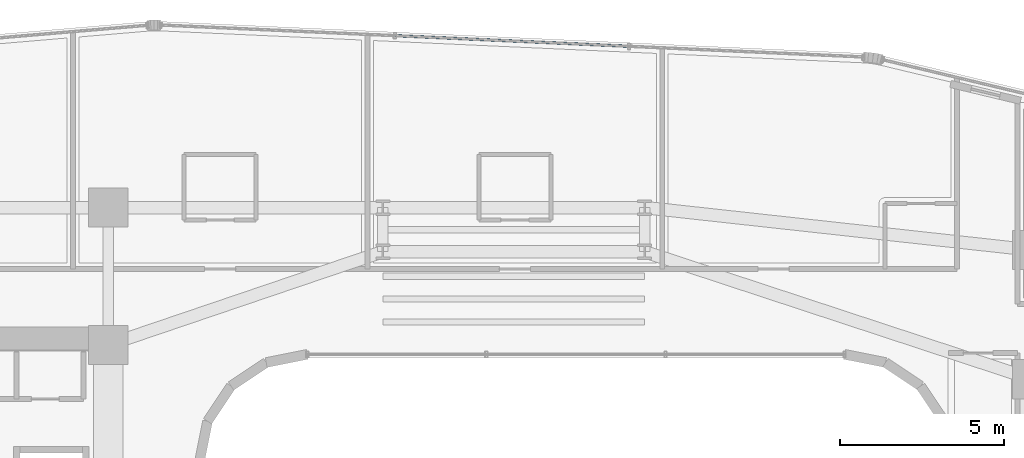
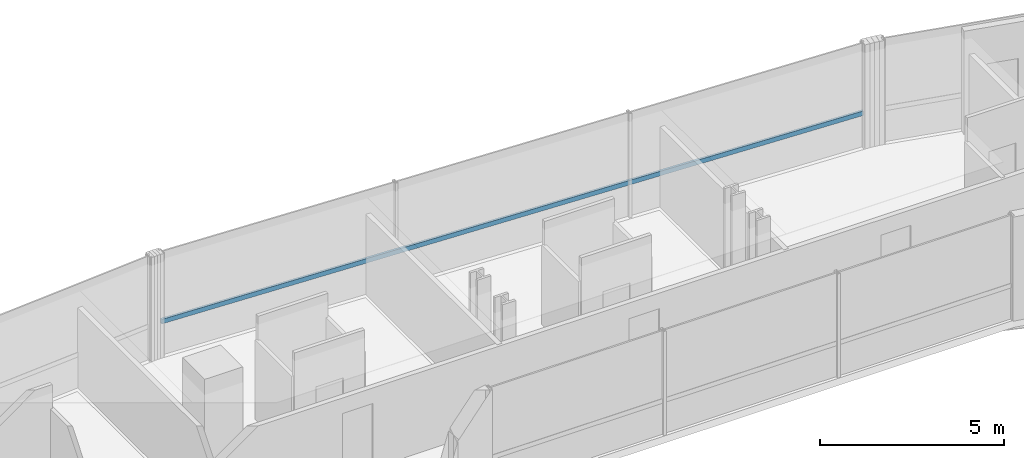
# One storey, part 22 of 35: 1 member, 1 element without a shape of its own.
"""IFC4 building model written with IfcOpenShell, lengths in metres."""

from ifc_helpers import new_model, si_unit, direction, frame, origin, origin_2d, place, context, subcontext, project, spatial, hollow_rectangle, extrude, source, transform, mapped, material, material_profile, profile_set, type_object, element, aggregate, save


model = new_model("IFC4")

# Units and contexts
model_context = context("Model", 3, precision=1e-05, world=origin(), true_north=direction((0.0, 1.0)))
body_context = subcontext(model_context, "Body", "Model", "MODEL_VIEW")
ifc_project = project(units=[si_unit("LENGTHUNIT", "METRE"), si_unit("AREAUNIT", "SQUARE_METRE"), si_unit("VOLUMEUNIT", "CUBIC_METRE"), si_unit("PLANEANGLEUNIT", "RADIAN"), si_unit("MASSUNIT", "GRAM", prefix="KILO")], contexts=[model_context])

# Site, building, storey
site_placement = place(None, origin())
site = spatial("IfcSite", under=ifc_project, at=site_placement, CompositionType="ELEMENT")
building_placement = place(site_placement, origin())
building = spatial("IfcBuilding", under=site, at=building_placement, Name="Valdorenza Pilgrim Sanctuary Tower", CompositionType="ELEMENT")
storey_placement = place(building_placement, frame((0.0, 0.0, 116.800048828125)))
storey = spatial("IfcBuildingStorey", under=building, at=storey_placement, Name="L29", CompositionType="ELEMENT", Elevation=116.800048828125)

# Curtain wall, member
ifc_material_1 = material(Name="Curtain-wall IGU glazing", Category="glass")
curtain_wall_type = type_object("IfcCurtainWallType", Name="CW-SYS-02", PredefinedType="NOTDEFINED", material=ifc_material_1)
curtain_wall_placement = place(storey_placement, origin())
curtain_wall = element("IfcCurtainWall", 1, at=curtain_wall_placement, inside=storey, type_object=curtain_wall_type, Name="L29 Curtain Wall CW-L29-1-11", PredefinedType="NOTDEFINED")
ifc_material_2 = material(Name="Anodised aluminium AW-6060", Category="aluminium")
ifc_material_profile = material_profile(ifc_material_2, hollow_rectangle(XDim=0.074951171875, YDim=0.14990234375, WallThickness=0.00390625, at=origin_2d()), Name="ALU-T 150x75x4")
ifc_profile_set = profile_set([ifc_material_profile], Name="Anodised aluminium AW-6060")
member_type = type_object("IfcMemberType", Name="CW-TRN-02", PredefinedType="USERDEFINED", material=ifc_profile_set)
shared_shape = source(origin(), body_context, "Body", "SweptSolid", [
    extrude(hollow_rectangle(XDim=0.074951171875, YDim=0.14990234375, WallThickness=0.00390625, at=origin_2d()), origin(), (0.0, 0.0, 1.0), 21.5078125),
])
member_placement = place(storey_placement, frame((-10.795654296875, 20.380615234375, 1.119873046875), z_axis=(0.99896865723, -0.045405086403, 0.0), x_axis=(0.045405086403, 0.99896865723, 0.0)))
member = element("IfcMember", 2, at=member_placement, type_object=member_type, Name="CW-L29-1-11 Transom 1", ObjectType="TRANSOM", PredefinedType="USERDEFINED", context=body_context, shape_type="MappedRepresentation", body=[
    mapped(shared_shape, transform((0.0, 0.0, 0.0), x_axis=(1.0, 0.0, 0.0), y_axis=(0.0, 1.0, 0.0), z_axis=(0.0, 0.0, 1.0), scale=1.0)),
])
aggregate(curtain_wall, [member])

save(model, "model.ifc")
